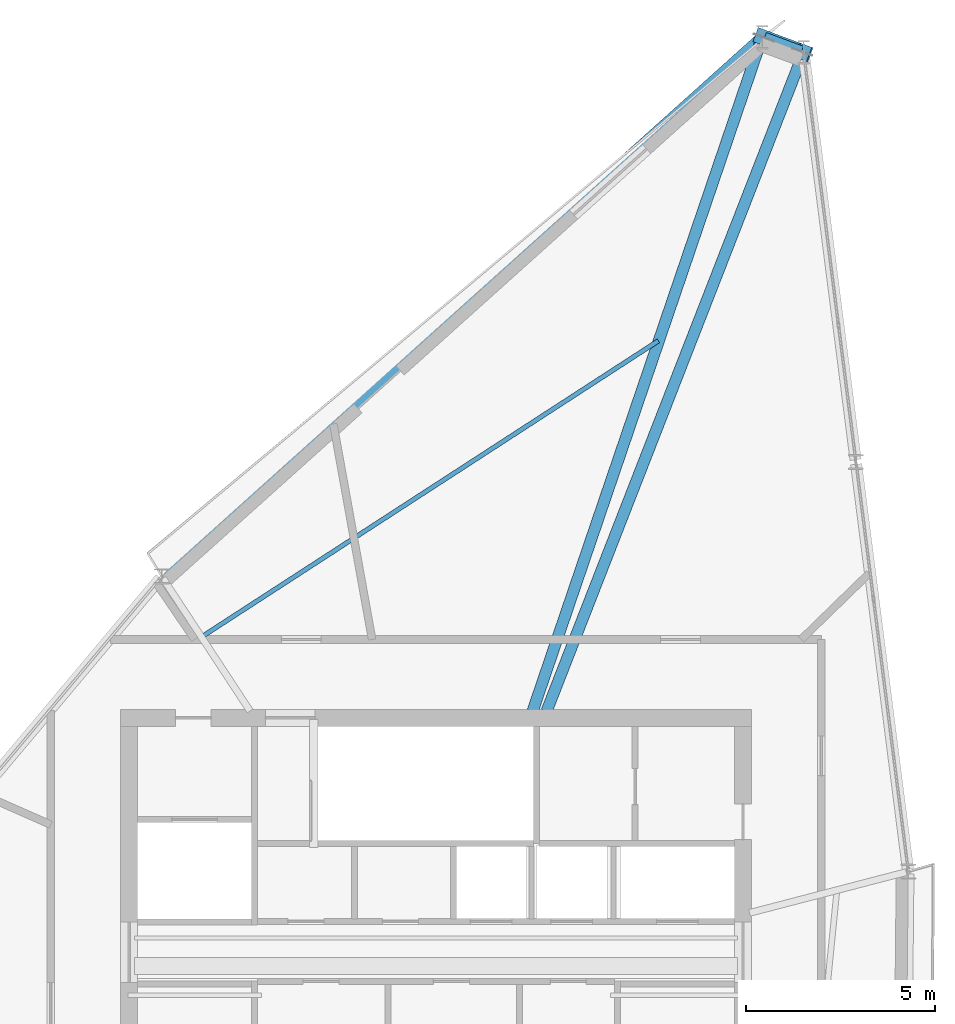
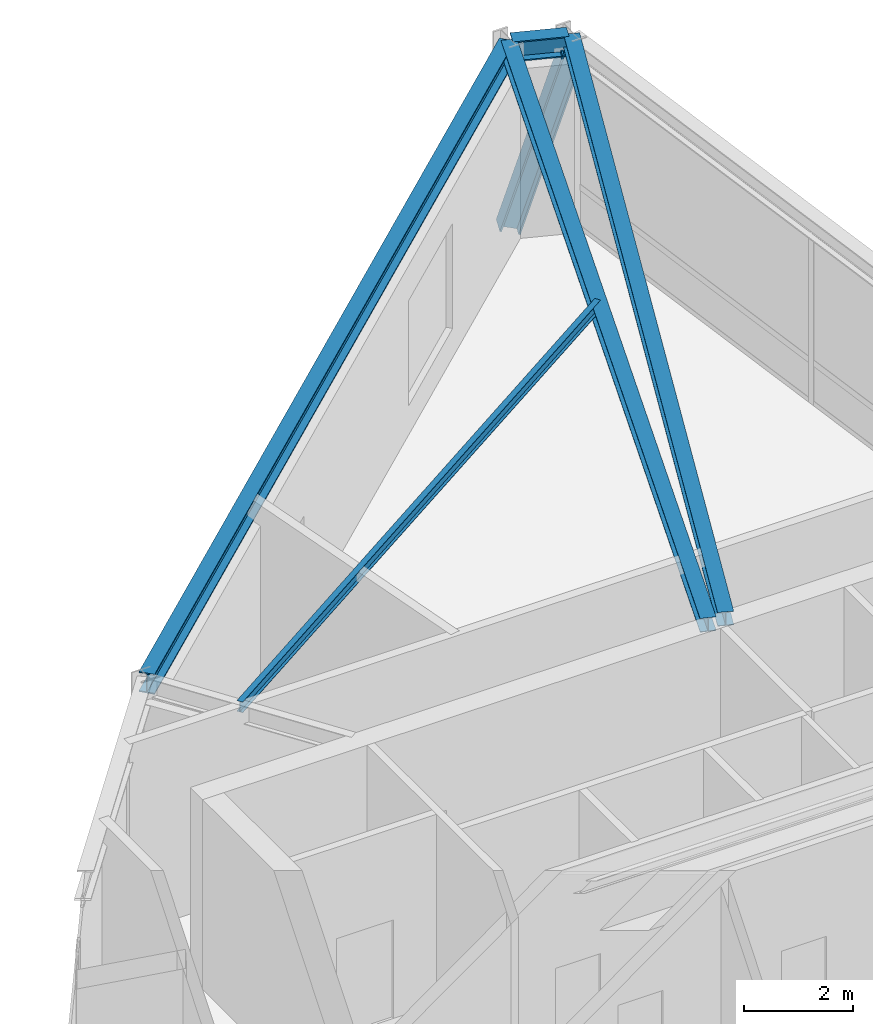
# One storey, part 12 of 23: 5 beams, 1 member.
"""IFC4 building model written with IfcOpenShell, lengths in metres."""

from ifc_helpers import new_model, si_unit, direction, frame, origin, origin_2d, place, context, subcontext, project, spatial, i_section, extrude, source, transform, mapped, material, material_profile, profile_set, type_object, element, save


model = new_model("IFC4")

# Units and contexts
model_context = context("Model", 3, precision=1e-05, world=origin(), true_north=direction((0.0, 1.0)))
body_context = subcontext(model_context, "Body", "Model", "MODEL_VIEW")
ifc_project = project(units=[si_unit("LENGTHUNIT", "METRE"), si_unit("AREAUNIT", "SQUARE_METRE"), si_unit("VOLUMEUNIT", "CUBIC_METRE"), si_unit("PLANEANGLEUNIT", "RADIAN"), si_unit("MASSUNIT", "GRAM", prefix="KILO")], contexts=[model_context])

# Site, building, storey
site_placement = place(None, origin())
site = spatial("IfcSite", under=ifc_project, at=site_placement, CompositionType="ELEMENT")
building_placement = place(site_placement, origin())
building = spatial("IfcBuilding", under=site, at=building_placement, Name="Olszyna Solenne Hotel", CompositionType="ELEMENT")
storey_placement = place(building_placement, frame((0.0, 0.0, 290.5)))
storey = spatial("IfcBuildingStorey", under=building, at=storey_placement, Name="L77", CompositionType="ELEMENT", Elevation=290.5)

# Beams
ifc_material_1 = material(Name="Steel S355J2", Category="steel")
ifc_material_profile_1 = material_profile(ifc_material_1, i_section(OverallWidth=0.300048828125, OverallDepth=0.449951171875, WebThickness=0.013916015625, FlangeThickness=0.02587890625, at=origin_2d()), Name="HEB 450", Category="load-bearing")
ifc_profile_set_1 = profile_set([ifc_material_profile_1], Name="Steel S355J2")
beam_type_1 = type_object("IfcBeamType", Name="BM-S4", PredefinedType="BEAM", material=ifc_profile_set_1)
shared_shape_1 = source(origin(), body_context, "Body", "SweptSolid", [
    extrude(i_section(OverallWidth=0.300048828125, OverallDepth=0.449951171875, WebThickness=0.013916015625, FlangeThickness=0.02587890625, at=origin_2d()), origin(), (0.0, 0.0, 1.0), 1.04541015625),
])
beam_1_placement = place(storey_placement, frame((47.674072265625, 51.561767578125, 4.014892578125), z_axis=(-0.93759937639, 0.347717427508, 0.0), x_axis=(-0.347717427508, -0.93759937639, 0.0)))
element("IfcBeam", 1, at=beam_1_placement, inside=storey, type_object=beam_type_1, Name="Perimeter spandrel beam BM-S4 B-L77-2252", PredefinedType="BEAM", context=body_context, shape_type="MappedRepresentation", body=[
    mapped(shared_shape_1, transform((0.0, 0.0, 0.0), x_axis=(1.0, 0.0, 0.0), y_axis=(0.0, 1.0, 0.0), z_axis=(0.0, 0.0, 1.0), scale=1.0)),
])
shared_shape_2 = source(origin(), body_context, "Body", "SweptSolid", [
    extrude(i_section(OverallWidth=0.300048828125, OverallDepth=0.449951171875, WebThickness=0.013916015625, FlangeThickness=0.02587890625, at=origin_2d()), origin(), (0.0, 0.0, 1.0), 21.248046875),
])
beam_2_placement = place(storey_placement, frame((46.593017578125, 51.906005859375, 4.014892578125), z_axis=(-0.743990190914, -0.668190538562, 0.0), x_axis=(0.668190538562, -0.743990190914, 0.0)))
element("IfcBeam", 2, at=beam_2_placement, inside=storey, type_object=beam_type_1, Name="Perimeter spandrel beam BM-S4 B-L77-2253", PredefinedType="BEAM", context=body_context, shape_type="MappedRepresentation", body=[
    mapped(shared_shape_2, transform((0.0, 0.0, 0.0), x_axis=(1.0, 0.0, 0.0), y_axis=(0.0, 1.0, 0.0), z_axis=(0.0, 0.0, 1.0), scale=1.0)),
])
ifc_material_profile_2 = material_profile(ifc_material_1, i_section(OverallWidth=0.300048828125, OverallDepth=0.31005859375, WebThickness=0.009033203125, FlangeThickness=0.015380859375, at=origin_2d()), Name="HEA 320", Category="load-bearing")
ifc_profile_set_2 = profile_set([ifc_material_profile_2], Name="Steel S355J2")
beam_type_2 = type_object("IfcBeamType", Name="BM-G3", PredefinedType="BEAM", material=ifc_profile_set_2)
shared_shape_3 = source(origin(), body_context, "Body", "SweptSolid", [
    extrude(i_section(OverallWidth=0.300048828125, OverallDepth=0.31005859375, WebThickness=0.009033203125, FlangeThickness=0.015380859375, at=origin_2d()), origin(), (0.0, 0.0, 1.0), 18.657470703125),
])
beam_3_placement = place(storey_placement, frame((47.70849609375, 51.485107421875, 4.0849609375), z_axis=(-0.363446927233, -0.931614904928, 0.0), x_axis=(0.931614904928, -0.363446927233, 0.0)))
element("IfcBeam", 3, at=beam_3_placement, inside=storey, type_object=beam_type_2, Name="Radial floor girder BM-G3 B-L77-2264", PredefinedType="BEAM", context=body_context, shape_type="MappedRepresentation", body=[
    mapped(shared_shape_3, transform((0.0, 0.0, 0.0), x_axis=(1.0, 0.0, 0.0), y_axis=(0.0, 1.0, 0.0), z_axis=(0.0, 0.0, 1.0), scale=1.0)),
])
shared_shape_4 = source(origin(), body_context, "Body", "SweptSolid", [
    extrude(i_section(OverallWidth=0.300048828125, OverallDepth=0.31005859375, WebThickness=0.009033203125, FlangeThickness=0.015380859375, at=origin_2d()), origin(), (0.0, 0.0, 1.0), 18.791015625),
])
beam_4_placement = place(storey_placement, frame((46.6181640625, 51.889404296875, 4.0849609375), z_axis=(-0.322562290715, -0.946548238923, 0.0), x_axis=(0.946548238923, -0.322562290715, 0.0)))
element("IfcBeam", 4, at=beam_4_placement, inside=storey, type_object=beam_type_2, Name="Radial floor girder BM-G3 B-L77-2265", PredefinedType="BEAM", context=body_context, shape_type="MappedRepresentation", body=[
    mapped(shared_shape_4, transform((0.0, 0.0, 0.0), x_axis=(1.0, 0.0, 0.0), y_axis=(0.0, 1.0, 0.0), z_axis=(0.0, 0.0, 1.0), scale=1.0)),
])
ifc_material_profile_3 = material_profile(ifc_material_1, i_section(OverallWidth=0.1201171875, OverallDepth=0.239990234375, WebThickness=0.006103515625, FlangeThickness=0.009765625, at=origin_2d()), Name="IPE 240", Category="load-bearing")
ifc_profile_set_3 = profile_set([ifc_material_profile_3], Name="Steel S355J2")
beam_type_3 = type_object("IfcBeamType", Name="JS-03", PredefinedType="JOIST", material=ifc_profile_set_3)
shared_shape_5 = source(origin(), body_context, "Body", "SweptSolid", [
    extrude(i_section(OverallWidth=0.1201171875, OverallDepth=0.239990234375, WebThickness=0.006103515625, FlangeThickness=0.009765625, at=origin_2d()), origin(), (0.0, 0.0, 1.0), 14.392333984375),
])
beam_5_placement = place(storey_placement, frame((43.884521484375, 43.90576171875, 4.1201171875), z_axis=(-0.839113843487, -0.543955841654, 0.0), x_axis=(0.543955841654, -0.839113843487, 0.0)))
element("IfcBeam", 5, at=beam_5_placement, inside=storey, type_object=beam_type_3, Name="Secondary composite floor joist JS-03 B-L77-2273", PredefinedType="JOIST", context=body_context, shape_type="MappedRepresentation", body=[
    mapped(shared_shape_5, transform((0.0, 0.0, 0.0), x_axis=(1.0, 0.0, 0.0), y_axis=(0.0, 1.0, 0.0), z_axis=(0.0, 0.0, 1.0), scale=1.0)),
])

# Member
ifc_material_2 = material(Name="Steel S460M", Category="steel")
ifc_material_profile_4 = material_profile(ifc_material_2, i_section(OverallWidth=0.40087890625, OverallDepth=0.39892578125, WebThickness=0.02197265625, FlangeThickness=0.034423828125, at=origin_2d()), Name="HD 400x314", Category="load-bearing")
ifc_profile_set_4 = profile_set([ifc_material_profile_4], Name="Steel S460M")
member_type = type_object("IfcMemberType", Name="BR-T3", PredefinedType="BRACE", material=ifc_profile_set_4)
shared_shape_6 = source(origin(), body_context, "Body", "SweptSolid", [
    extrude(i_section(OverallWidth=0.40087890625, OverallDepth=0.39892578125, WebThickness=0.02197265625, FlangeThickness=0.034423828125, at=origin_2d()), origin(), (0.0, 0.0, 1.0), 3.96435546875),
])
member_placement = place(storey_placement, frame((46.6376953125, 51.9462890625, 0.010009765625), z_axis=(0.27565601886, -0.10223167813, 0.955804605164), x_axis=(0.347723665052, 0.937597063116, 0.0)))
element("IfcMember", 6, at=member_placement, inside=storey, type_object=member_type, Name="Perimeter braced-tube diagonal BR-T3 BR-L77-1", PredefinedType="BRACE", context=body_context, shape_type="MappedRepresentation", body=[
    mapped(shared_shape_6, transform((0.0, 0.0, 0.0), x_axis=(1.0, 0.0, 0.0), y_axis=(0.0, 1.0, 0.0), z_axis=(0.0, 0.0, 1.0), scale=1.0)),
])

save(model, "model.ifc")
